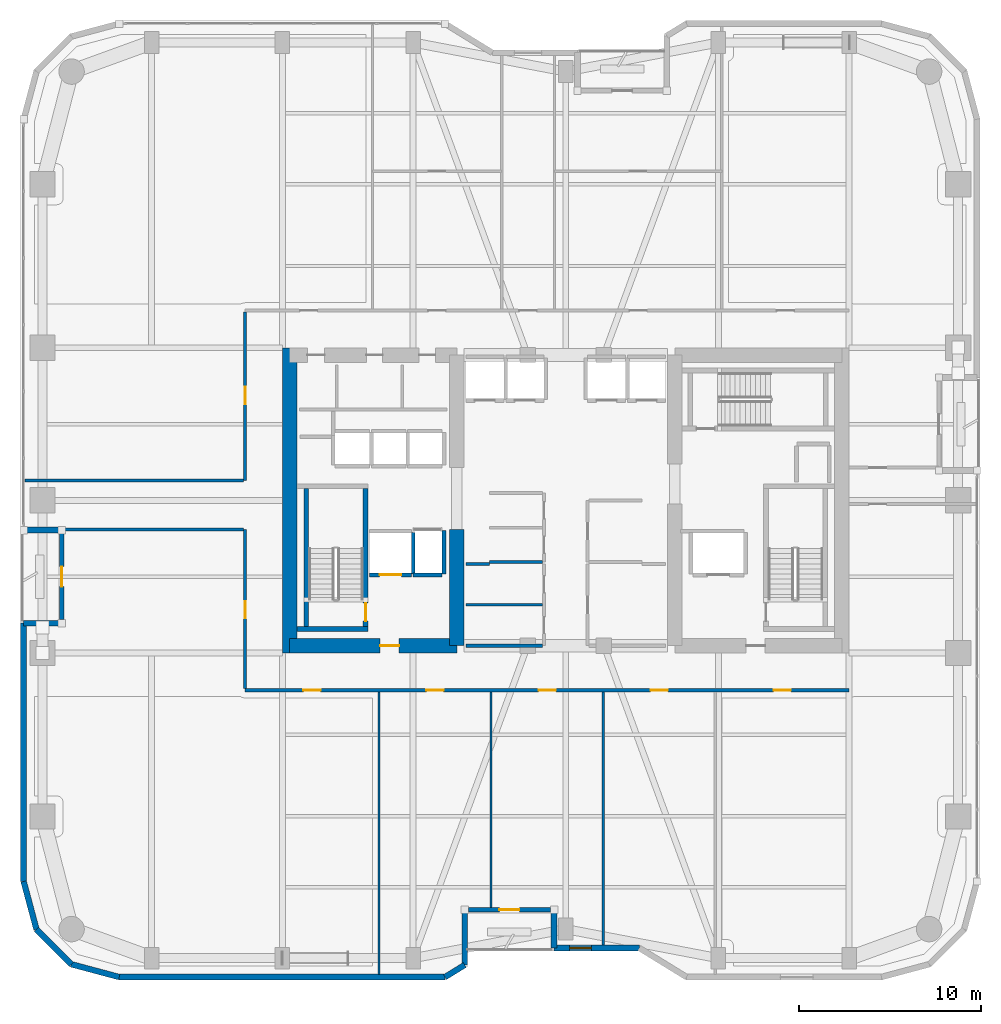
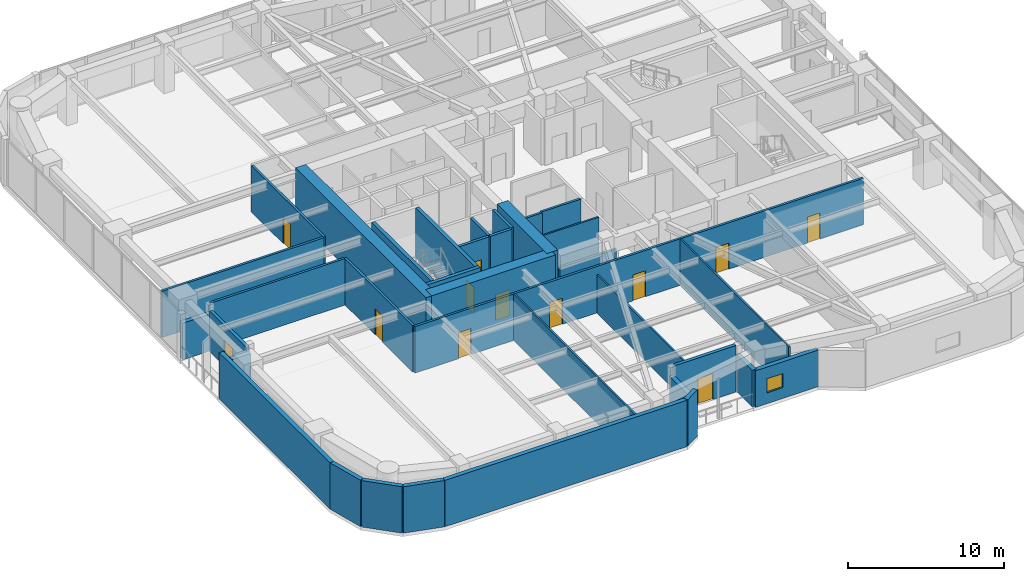
# One storey, part 18 of 24: 35 walls, 12 doors, 1 window, 13 openings.
"""IFC4 building model written with IfcOpenShell, lengths in metres."""

from ifc_helpers import new_model, si_unit, direction, frame, frame_2d, origin, place, context, subcontext, project, spatial, rectangle, extrude, material, layer, layer_set, type_object, element, fill, save


model = new_model("IFC4")

# Units and contexts
model_context = context("Model", 3, precision=1e-05, world=origin(), true_north=direction((0.0, 1.0)))
body_context = subcontext(model_context, "Body", "Model", "MODEL_VIEW")
ifc_project = project(units=[si_unit("LENGTHUNIT", "METRE"), si_unit("AREAUNIT", "SQUARE_METRE"), si_unit("VOLUMEUNIT", "CUBIC_METRE"), si_unit("PLANEANGLEUNIT", "RADIAN"), si_unit("MASSUNIT", "GRAM", prefix="KILO")], contexts=[model_context])

# Site, building, storey
site_placement = place(None, origin())
site = spatial("IfcSite", under=ifc_project, at=site_placement, CompositionType="ELEMENT")
building_placement = place(site_placement, origin())
building = spatial("IfcBuilding", under=site, at=building_placement, Name="Kiyonajd Concourse Tower", CompositionType="ELEMENT")
storey_placement = place(building_placement, frame((0.0, 0.0, 133.800048828125)))
storey = spatial("IfcBuildingStorey", under=building, at=storey_placement, Name="L34", CompositionType="ELEMENT", Elevation=133.800048828125)

# Walls
ifc_material_1 = material(Name="Concrete C70/85", Category="concrete")
ifc_layer_1 = layer(ifc_material_1, 0.800048828125)
ifc_layer_set_1 = layer_set([ifc_layer_1], Name="Concrete C70/85")
wall_type_1 = type_object("IfcWallType", Name="WL-CORE-800", PredefinedType="SHEAR", material=ifc_layer_set_1)
wall_1_placement = place(storey_placement, frame((32.800048828125, 27.60009765625, 0.0), z_axis=(0.0, 0.0, 1.0), x_axis=(0.0, 1.0, 0.0)))
element("IfcWall", 1, at=wall_1_placement, inside=storey, type_object=wall_type_1, Name="L34 West Core Outer Shear Wall", PredefinedType="SHEAR", context=body_context, shape_type="SweptSolid", body=[
    extrude(rectangle(XDim=16.7998046875, YDim=0.800048828125, at=frame_2d((8.39990234375, 0.0))), origin(), (0.0, 0.0, 1.0), 3.89990234375),
])
wall_2_placement = place(storey_placement, frame((42.0, 28.0, 0.0), z_axis=(0.0, 0.0, 1.0), x_axis=(0.0, 1.0, 0.0)))
element("IfcWall", 2, at=wall_2_placement, inside=storey, type_object=wall_type_1, Name="L34 West Core Inner South Shear Wall", PredefinedType="SHEAR", context=body_context, shape_type="SweptSolid", body=[
    extrude(rectangle(XDim=6.39990234375, YDim=0.800048828125, at=frame_2d((3.199951171875, 0.0))), origin(), (0.0, 0.0, 1.0), 3.89990234375),
])

# Wall, opening, door
wall_3_placement = place(storey_placement, frame((32.800048828125, 28.0, 0.0), z_axis=(0.0, 0.0, 1.0), x_axis=(1.0, 0.0, 0.0)))
wall_3 = element("IfcWall", 3, at=wall_3_placement, inside=storey, type_object=wall_type_1, Name="L34 West Core South Shear Wall", PredefinedType="SHEAR", context=body_context, shape_type="SweptSolid", body=[
    extrude(rectangle(XDim=9.199951171875, YDim=0.800048828125, at=frame_2d((4.60009765625, 0.0))), origin(), (0.0, 0.0, 1.0), 3.89990234375),
])
opening_1_placement = place(wall_3_placement, frame((4.97509765625, 0.0, 0.0)))
opening_1 = element("IfcOpeningElement", 4, at=opening_1_placement, cuts=wall_3, Name="Opening DF5", PredefinedType="OPENING", context=body_context, shape_type="SweptSolid", body=[
    extrude(rectangle(XDim=1.050048828125, YDim=2.0400390625, at=frame_2d((0.52490234375, 1.02001953125))), frame((0.0, 0.409912109375, 0.0), z_axis=(0.0, -1.0, 0.0), x_axis=(1.0, 0.0, 0.0)), (0.0, 0.0, 1.0), 0.820068359375),
])
ifc_material_2 = material(Name="Brushed Stainless Steel Cab Assembly", Category="steel")
door_type_1 = type_object("IfcDoorType", Name="DR-FD45-1050", OperationType="NOTDEFINED", PredefinedType="DOOR", material=ifc_material_2)
door_1_placement = place(opening_1_placement, origin())
door_1 = element("IfcDoor", 5, at=door_1_placement, inside=storey, type_object=door_type_1, Name="L34 Firefighting Lift Lobby W Smoke Door", OperationType="SINGLE_SWING_LEFT", OverallHeight=2.0400390625, OverallWidth=1.050048828125, PredefinedType="DOOR", context=body_context, shape_type="SweptSolid", body=[
    extrude(rectangle(XDim=1.050048828125, YDim=2.0400390625, at=frame_2d((0.52490234375, 1.02001953125))), frame((0.0, 0.02490234375, 0.0), z_axis=(0.0, -1.0, 0.0), x_axis=(1.0, 0.0, 0.0)), (0.0, 0.0, 1.0), 0.050048828125),
])
fill(opening_1, door_1)

# Walls
ifc_material_3 = material(Name="Precast concrete C50/60", Category="concrete")
ifc_layer_2 = layer(ifc_material_3, 0.320068359375)
ifc_layer_set_2 = layer_set([ifc_layer_2], Name="Precast concrete C50/60")
wall_type_2 = type_object("IfcWallType", Name="WL-EXT-320", PredefinedType="SOLIDWALL", material=ifc_layer_set_2)
wall_4_placement = place(storey_placement, frame((18.866455078125, 12.3828125, 0.0), z_axis=(0.0, 0.0, 1.0), x_axis=(-0.25869736047, 0.965958423373, 0.0)))
element("IfcWall", 6, at=wall_4_placement, inside=storey, type_object=wall_type_2, Name="L34 Exterior Concrete Frame Wall 00", PredefinedType="SOLIDWALL", context=body_context, shape_type="SweptSolid", body=[
    extrude(rectangle(XDim=2.731201171875, YDim=0.320068359375, at=frame_2d((1.36572265625, 0.0))), origin(), (0.0, 0.0, 1.0), 3.639892578125),
])
wall_5_placement = place(storey_placement, frame((18.159912109375, 15.02099609375, 0.0), z_axis=(0.0, 0.0, 1.0), x_axis=(0.0, 1.0, 0.0)))
element("IfcWall", 7, at=wall_5_placement, inside=storey, type_object=wall_type_2, Name="L34 Exterior Concrete Frame Wall 01", PredefinedType="SOLIDWALL", context=body_context, shape_type="SweptSolid", body=[
    extrude(rectangle(XDim=14.218994140625, YDim=0.320068359375, at=frame_2d((7.109375, 0.0))), origin(), (0.0, 0.0, 1.0), 3.639892578125),
])
for number, where, z_axis, x_axis, name in (
    (8, (18.159912109375, 29.239990234375, 0.0), (0.0, 0.0, 1.0), (1.0, 0.0, 0.0), "L34 Exterior Concrete Frame Wall 02"),
    (9, (20.260009765625, 34.360107421875, 0.0), (0.0, 0.0, 1.0), (-1.0, 0.0, 0.0), "L34 Exterior Concrete Frame Wall 04"),
):
    element("IfcWall", number, at=place(storey_placement, frame(where, z_axis=z_axis, x_axis=x_axis)), inside=storey, type_object=wall_type_2, Name=name, PredefinedType="SOLIDWALL", context=body_context, shape_type="SweptSolid", body=[
        extrude(rectangle(XDim=2.10009765625, YDim=0.320068359375, at=frame_2d((1.050048828125, 0.0))), origin(), (0.0, 0.0, 1.0), 2.875),
    ])

# Wall, opening, window
wall_6_placement = place(storey_placement, frame((52.04541015625, 11.360107421875, 0.0), z_axis=(0.0, 0.0, 1.0), x_axis=(-1.0, 0.0, 0.0)))
wall_6 = element("IfcWall", 10, at=wall_6_placement, inside=storey, type_object=wall_type_2, Name="L34 Exterior Concrete Frame Wall 30", PredefinedType="SOLIDWALL", context=body_context, shape_type="SweptSolid", body=[
    extrude(rectangle(XDim=4.685302734375, YDim=0.320068359375, at=frame_2d((2.3427734375, 0.0))), origin(), (0.0, 0.0, 1.0), 2.875),
])
opening_2_placement = place(wall_6_placement, frame((2.639892578125, 0.0, 0.85009765625)))
opening_2 = element("IfcOpeningElement", 11, at=opening_2_placement, cuts=wall_6, Name="Opening WN3", PredefinedType="OPENING", context=body_context, shape_type="SweptSolid", body=[
    extrude(rectangle(XDim=1.199951171875, YDim=1.10009765625, at=frame_2d((0.60009765625, 0.550048828125))), frame((0.0, 0.169921875, 0.0), z_axis=(0.0, -1.0, 0.0), x_axis=(1.0, 0.0, 0.0)), (0.0, 0.0, 1.0), 0.340087890625),
])
ifc_material_4 = material(Name="Double Low-E Insulated Glass", Category="glass")
window_type = type_object("IfcWindowType", Name="WN-VIS-1200x1100", PartitioningType="SINGLE_PANEL", PredefinedType="WINDOW", material=ifc_material_4)
window_placement = place(opening_2_placement, origin())
window = element("IfcWindow", 12, at=window_placement, inside=storey, type_object=window_type, Name="L34 Modular Facade Vision Window 30", OverallHeight=1.10009765625, OverallWidth=1.199951171875, PartitioningType="SINGLE_PANEL", PredefinedType="WINDOW", context=body_context, shape_type="SweptSolid", body=[
    extrude(rectangle(XDim=1.199951171875, YDim=1.10009765625, at=frame_2d((0.60009765625, 0.550048828125))), frame((0.0, 0.030029296875, 0.0), z_axis=(0.0, -1.0, 0.0), x_axis=(1.0, 0.0, 0.0)), (0.0, 0.0, 1.0), 0.06005859375),
])
fill(opening_2, window)

# Walls
wall_7_placement = place(storey_placement, frame((47.360107421875, 11.360107421875, 0.0), z_axis=(0.0, 0.0, 1.0), x_axis=(0.0, 1.0, 0.0)))
element("IfcWall", 13, at=wall_7_placement, inside=storey, type_object=wall_type_2, Name="L34 Exterior Concrete Frame Wall 31", PredefinedType="SOLIDWALL", context=body_context, shape_type="SweptSolid", body=[
    extrude(rectangle(XDim=2.099853515625, YDim=0.320068359375, at=frame_2d((1.0498046875, 0.0))), origin(), (0.0, 0.0, 1.0), 2.875),
])
wall_8_placement = place(storey_placement, frame((42.43994140625, 13.4599609375, 0.0), z_axis=(0.0, 0.0, 1.0), x_axis=(0.0, -1.0, 0.0)))
element("IfcWall", 14, at=wall_8_placement, inside=storey, type_object=wall_type_2, Name="L34 Exterior Concrete Frame Wall 33", PredefinedType="SOLIDWALL", context=body_context, shape_type="SweptSolid", body=[
    extrude(rectangle(XDim=3.032470703125, YDim=0.320068359375, at=frame_2d((1.51611328125, 0.0))), origin(), (0.0, 0.0, 1.0), 2.875),
])
wall_9_placement = place(storey_placement, frame((42.43994140625, 10.427490234375, 0.0), z_axis=(0.0, 0.0, 1.0), x_axis=(-0.851776724646, -0.523904964045, 0.0)))
element("IfcWall", 15, at=wall_9_placement, inside=storey, type_object=wall_type_2, Name="L34 Exterior Concrete Frame Wall 34", PredefinedType="SOLIDWALL", context=body_context, shape_type="SweptSolid", body=[
    extrude(rectangle(XDim=1.274169921875, YDim=0.320068359375, at=frame_2d((0.63720703125, 0.0))), origin(), (0.0, 0.0, 1.0), 3.639892578125),
])
wall_10_placement = place(storey_placement, frame((41.354736328125, 9.760009765625, 0.0), z_axis=(0.0, 0.0, 1.0), x_axis=(-1.0, 0.0, 0.0)))
element("IfcWall", 16, at=wall_10_placement, inside=storey, type_object=wall_type_2, Name="L34 Exterior Concrete Frame Wall 35", PredefinedType="SOLIDWALL", context=body_context, shape_type="SweptSolid", body=[
    extrude(rectangle(XDim=17.93359375, YDim=0.320068359375, at=frame_2d((8.966796875, 0.0))), origin(), (0.0, 0.0, 1.0), 3.639892578125),
])
wall_11_placement = place(storey_placement, frame((23.421142578125, 9.760009765625, 0.0), z_axis=(0.0, 0.0, 1.0), x_axis=(-0.965964405026, 0.25867502435, 0.0)))
element("IfcWall", 17, at=wall_11_placement, inside=storey, type_object=wall_type_2, Name="L34 Exterior Concrete Frame Wall 36", PredefinedType="SOLIDWALL", context=body_context, shape_type="SweptSolid", body=[
    extrude(rectangle(XDim=2.7314453125, YDim=0.320068359375, at=frame_2d((1.36572265625, 0.0))), origin(), (0.0, 0.0, 1.0), 3.639892578125),
])
wall_12_placement = place(storey_placement, frame((20.78271484375, 10.466552734375, 0.0), z_axis=(0.0, 0.0, 1.0), x_axis=(-0.707106781187, 0.707106781187, 0.0)))
element("IfcWall", 18, at=wall_12_placement, inside=storey, type_object=wall_type_2, Name="L34 Exterior Concrete Frame Wall 37", PredefinedType="SOLIDWALL", context=body_context, shape_type="SweptSolid", body=[
    extrude(rectangle(XDim=2.7099609375, YDim=0.320068359375, at=frame_2d((1.35498046875, 0.0))), origin(), (0.0, 0.0, 1.0), 3.639892578125),
])

# Wall, opening, door
ifc_layer_3 = layer(ifc_material_3, 0.239990234375)
ifc_layer_set_3 = layer_set([ifc_layer_3], Name="Precast concrete C50/60")
wall_type_3 = type_object("IfcWallType", Name="WL-LOG-240", PredefinedType="SOLIDWALL", material=ifc_layer_set_3)
wall_13_placement = place(storey_placement, frame((20.260009765625, 29.43505859375, 0.0), z_axis=(0.0, 0.0, 1.0), x_axis=(0.0, 1.0, 0.0)))
wall_13 = element("IfcWall", 19, at=wall_13_placement, inside=storey, type_object=wall_type_3, Name="L34 Recessed Loggia Thermal Wall LOG-W", PredefinedType="SOLIDWALL", context=body_context, shape_type="SweptSolid", body=[
    extrude(rectangle(XDim=4.72998046875, YDim=0.239990234375, at=frame_2d((2.364990234375, 0.0))), origin(), (0.0, 0.0, 1.0), 3.161865234375),
])
opening_3_placement = place(wall_13_placement, frame((1.81494140625, 0.0, 0.0)))
opening_3 = element("IfcOpeningElement", 20, at=opening_3_placement, cuts=wall_13, Name="Opening DL2", PredefinedType="OPENING", context=body_context, shape_type="SweptSolid", body=[
    extrude(rectangle(XDim=1.10009765625, YDim=2.0400390625, at=frame_2d((0.550048828125, 1.02001953125))), frame((0.0, 0.1298828125, 0.0), z_axis=(0.0, -1.0, 0.0), x_axis=(1.0, 0.0, 0.0)), (0.0, 0.0, 1.0), 0.260009765625),
])
ifc_material_5 = material(Name="Thermally Broken Anodised Aluminium", Category="aluminium")
door_type_2 = type_object("IfcDoorType", Name="DR-LOG-1100", OperationType="NOTDEFINED", PredefinedType="DOOR", material=ifc_material_5)
door_2_placement = place(opening_3_placement, origin())
door_2 = element("IfcDoor", 21, at=door_2_placement, inside=storey, type_object=door_type_2, Name="L34 Engawa Loggia Access Door LOG-W", OperationType="SINGLE_SWING_LEFT", OverallHeight=2.0400390625, OverallWidth=1.10009765625, PredefinedType="DOOR", context=body_context, shape_type="SweptSolid", body=[
    extrude(rectangle(XDim=1.10009765625, YDim=2.0400390625, at=frame_2d((0.550048828125, 1.02001953125))), frame((0.0, 0.02490234375, 0.0), z_axis=(0.0, -1.0, 0.0), x_axis=(1.0, 0.0, 0.0)), (0.0, 0.0, 1.0), 0.050048828125),
])
fill(opening_3, door_2)

wall_14_placement = place(storey_placement, frame((47.1650390625, 13.4599609375, 0.0), z_axis=(0.0, 0.0, 1.0), x_axis=(-1.0, 0.0, 0.0)))
wall_14 = element("IfcWall", 22, at=wall_14_placement, inside=storey, type_object=wall_type_3, Name="L34 Recessed Loggia Thermal Wall LOG-S", PredefinedType="SOLIDWALL", context=body_context, shape_type="SweptSolid", body=[
    extrude(rectangle(XDim=4.530029296875, YDim=0.239990234375, at=frame_2d((2.26513671875, 0.0))), origin(), (0.0, 0.0, 1.0), 3.639892578125),
])
opening_4_placement = place(wall_14_placement, frame((1.715087890625, 0.0, 0.0)))
opening_4 = element("IfcOpeningElement", 23, at=opening_4_placement, cuts=wall_14, Name="Opening DL2", PredefinedType="OPENING", context=body_context, shape_type="SweptSolid", body=[
    extrude(rectangle(XDim=1.10009765625, YDim=2.0400390625, at=frame_2d((0.550048828125, 1.02001953125))), frame((0.0, 0.1298828125, 0.0), z_axis=(0.0, -1.0, 0.0), x_axis=(1.0, 0.0, 0.0)), (0.0, 0.0, 1.0), 0.260009765625),
])
door_3_placement = place(opening_4_placement, origin())
door_3 = element("IfcDoor", 24, at=door_3_placement, inside=storey, type_object=door_type_2, Name="L34 Engawa Loggia Access Door LOG-S", OperationType="SINGLE_SWING_RIGHT", OverallHeight=2.0400390625, OverallWidth=1.10009765625, PredefinedType="DOOR", context=body_context, shape_type="SweptSolid", body=[
    extrude(rectangle(XDim=1.10009765625, YDim=2.0400390625, at=frame_2d((0.550048828125, 1.02001953125))), frame((0.0, 0.02490234375, 0.0), z_axis=(0.0, -1.0, 0.0), x_axis=(1.0, 0.0, 0.0)), (0.0, 0.0, 1.0), 0.050048828125),
])
fill(opening_4, door_3)

# Walls
ifc_material_6 = material(Name="Gypsum Board on Cold-Formed Steel Stud", Category="steel")
ifc_layer_4 = layer(ifc_material_6, 0.125)
ifc_layer_set_4 = layer_set([ifc_layer_4], Name="Gypsum Board on Cold-Formed Steel Stud")
wall_type_4 = type_object("IfcWallType", Name="WL-PART-125", PredefinedType="PARTITIONING", material=ifc_layer_set_4)
wall_15_placement = place(storey_placement, frame((42.5, 30.25, 0.0), z_axis=(0.0, 0.0, 1.0), x_axis=(1.0, 0.0, 0.0)))
element("IfcWall", 25, at=wall_15_placement, inside=storey, type_object=wall_type_4, Name="L34 Interior Partition Wall", PredefinedType="PARTITIONING", context=body_context, shape_type="SweptSolid", body=[
    extrude(rectangle(XDim=4.212890625, YDim=0.125, at=frame_2d((2.1064453125, 0.0))), origin(), (0.0, 0.0, 1.0), 3.639892578125),
])
wall_16_placement = place(storey_placement, frame((37.719970703125, 9.9150390625, 0.0), z_axis=(0.0, 0.0, 1.0), x_axis=(0.0, 1.0, 0.0)))
element("IfcWall", 26, at=wall_16_placement, inside=storey, type_object=wall_type_4, Name="L34 Interior Partition Wall", PredefinedType="PARTITIONING", context=body_context, shape_type="SweptSolid", body=[
    extrude(rectangle(XDim=15.5478515625, YDim=0.125, at=frame_2d((7.77392578125, 0.0))), origin(), (0.0, 0.0, 1.0), 3.639892578125),
])
wall_17_placement = place(storey_placement, frame((43.889892578125, 13.574951171875, 0.0), z_axis=(0.0, 0.0, 1.0), x_axis=(0.0, 1.0, 0.0)))
element("IfcWall", 27, at=wall_17_placement, inside=storey, type_object=wall_type_4, Name="L34 Interior Partition Wall", PredefinedType="PARTITIONING", context=body_context, shape_type="SweptSolid", body=[
    extrude(rectangle(XDim=11.887939453125, YDim=0.125, at=frame_2d((5.94384765625, 0.0))), origin(), (0.0, 0.0, 1.0), 3.0029296875),
])
wall_18_placement = place(storey_placement, frame((50.06005859375, 11.514892578125, 0.0), z_axis=(0.0, 0.0, 1.0), x_axis=(0.0, 1.0, 0.0)))
element("IfcWall", 28, at=wall_18_placement, inside=storey, type_object=wall_type_4, Name="L34 Interior Partition Wall", PredefinedType="PARTITIONING", context=body_context, shape_type="SweptSolid", body=[
    extrude(rectangle(XDim=13.947998046875, YDim=0.125, at=frame_2d((6.97412109375, 0.0))), origin(), (0.0, 0.0, 1.0), 3.639892578125),
])

# Wall, opening, door
ifc_layer_5 = layer(ifc_material_6, 0.2099609375)
ifc_layer_set_5 = layer_set([ifc_layer_5], Name="Gypsum Board on Cold-Formed Steel Stud")
wall_type_5 = type_object("IfcWallType", Name="WL-SHAFT-210", PredefinedType="PARTITIONING", material=ifc_layer_set_5)
wall_19_placement = place(storey_placement, frame((37.199951171875, 31.89990234375, 0.0), z_axis=(0.0, 0.0, 1.0), x_axis=(1.0, 0.0, 0.0)))
wall_19 = element("IfcWall", 29, at=wall_19_placement, inside=storey, type_object=wall_type_5, Name="L34 Shaft Enclosure Wall", PredefinedType="PARTITIONING", context=body_context, shape_type="SweptSolid", body=[
    extrude(rectangle(XDim=2.300048828125, YDim=0.2099609375, at=frame_2d((1.14990234375, 0.0))), origin(), (0.0, 0.0, 1.0), 3.639892578125),
])
opening_5_placement = place(wall_19_placement, frame((0.550048828125, 0.0, 0.0)))
opening_5 = element("IfcOpeningElement", 30, at=opening_5_placement, cuts=wall_19, Name="Opening LD2", PredefinedType="OPENING", context=body_context, shape_type="SweptSolid", body=[
    extrude(rectangle(XDim=1.199951171875, YDim=2.0400390625, at=frame_2d((0.60009765625, 1.02001953125))), frame((0.0, 0.114990234375, 0.0), z_axis=(0.0, -1.0, 0.0), x_axis=(1.0, 0.0, 0.0)), (0.0, 0.0, 1.0), 0.22998046875),
])
door_type_3 = type_object("IfcDoorType", Name="DR-LD-1200", OperationType="DOUBLE_DOOR_SLIDING", PredefinedType="DOOR", material=ifc_material_2)
door_4_placement = place(opening_5_placement, origin())
door_4 = element("IfcDoor", 31, at=door_4_placement, inside=storey, type_object=door_type_3, Name="L34 Lift FFL1 Sliding Landing Door", OperationType="DOUBLE_DOOR_SLIDING", OverallHeight=2.0400390625, OverallWidth=1.199951171875, PredefinedType="DOOR", context=body_context, shape_type="SweptSolid", body=[
    extrude(rectangle(XDim=1.199951171875, YDim=2.0400390625, at=frame_2d((0.60009765625, 1.02001953125))), frame((0.0, 0.02490234375, 0.0), z_axis=(0.0, -1.0, 0.0), x_axis=(1.0, 0.0, 0.0)), (0.0, 0.0, 1.0), 0.050048828125),
])
fill(opening_5, door_4)

# Walls
wall_20_placement = place(storey_placement, frame((39.60009765625, 31.9599609375, 0.0), z_axis=(0.0, 0.0, 1.0), x_axis=(0.0, 1.0, 0.0)))
element("IfcWall", 32, at=wall_20_placement, inside=storey, type_object=wall_type_5, Name="L34 Shaft Enclosure Wall", PredefinedType="PARTITIONING", context=body_context, shape_type="SweptSolid", body=[
    extrude(rectangle(XDim=2.280029296875, YDim=0.2099609375, at=frame_2d((1.14013671875, 0.0))), origin(), (0.0, 0.0, 1.0), 3.639892578125),
])
wall_21_placement = place(storey_placement, frame((39.60009765625, 31.89990234375, 0.0), z_axis=(0.0, 0.0, 1.0), x_axis=(1.0, 0.0, 0.0)))
element("IfcWall", 33, at=wall_21_placement, inside=storey, type_object=wall_type_5, Name="L34 Shaft Enclosure Wall", PredefinedType="PARTITIONING", context=body_context, shape_type="SweptSolid", body=[
    extrude(rectangle(XDim=1.599853515625, YDim=0.2099609375, at=frame_2d((0.7998046875, 0.0))), origin(), (0.0, 0.0, 1.0), 3.639892578125),
])
wall_22_placement = place(storey_placement, frame((41.300048828125, 31.9599609375, 0.0), z_axis=(0.0, 0.0, 1.0), x_axis=(0.0, 1.0, 0.0)))
element("IfcWall", 34, at=wall_22_placement, inside=storey, type_object=wall_type_5, Name="L34 Shaft Enclosure Wall", PredefinedType="PARTITIONING", context=body_context, shape_type="SweptSolid", body=[
    extrude(rectangle(XDim=2.380126953125, YDim=0.2099609375, at=frame_2d((1.18994140625, 0.0))), origin(), (0.0, 0.0, 1.0), 3.639892578125),
])
ifc_layer_6 = layer(ifc_material_6, 0.169921875)
ifc_layer_set_6 = layer_set([ifc_layer_6], Name="Gypsum Board on Cold-Formed Steel Stud")
wall_type_6 = type_object("IfcWallType", Name="WL-SMK-170", PredefinedType="PARTITIONING", material=ifc_layer_set_6)
wall_23_placement = place(storey_placement, frame((43.800048828125, 32.60009765625, 0.0), z_axis=(0.0, 0.0, 1.0), x_axis=(1.0, 0.0, 0.0)))
element("IfcWall", 35, at=wall_23_placement, inside=storey, type_object=wall_type_6, Name="L34 Interior Partition Wall", PredefinedType="PARTITIONING", context=body_context, shape_type="SweptSolid", body=[
    extrude(rectangle(XDim=2.912841796875, YDim=0.169921875, at=frame_2d((1.45654296875, 0.0))), origin(), (0.0, 0.0, 1.0), 3.639892578125),
])
wall_24_placement = place(storey_placement, frame((42.5, 28.0, 0.0), z_axis=(0.0, 0.0, 1.0), x_axis=(1.0, 0.0, 0.0)))
element("IfcWall", 36, at=wall_24_placement, inside=storey, type_object=wall_type_6, Name="L34 Interior Partition Wall", PredefinedType="PARTITIONING", context=body_context, shape_type="SweptSolid", body=[
    extrude(rectangle(XDim=4.212890625, YDim=0.169921875, at=frame_2d((2.1064453125, 0.0))), origin(), (0.0, 0.0, 1.0), 2.52490234375),
])
wall_25_placement = place(storey_placement, frame((42.5, 32.5, 0.0), z_axis=(0.0, 0.0, 1.0), x_axis=(1.0, 0.0, 0.0)))
element("IfcWall", 37, at=wall_25_placement, inside=storey, type_object=wall_type_6, Name="L34 Interior Partition Wall", PredefinedType="PARTITIONING", context=body_context, shape_type="SweptSolid", body=[
    extrude(rectangle(XDim=1.300048828125, YDim=0.169921875, at=frame_2d((0.64990234375, 0.0))), origin(), (0.0, 0.0, 1.0), 3.639892578125),
])

# Wall, openings, doors
wall_26_placement = place(storey_placement, frame((30.35009765625, 25.550048828125, 0.0), z_axis=(0.0, 0.0, 1.0), x_axis=(1.0, 0.0, 0.0)))
wall_26 = element("IfcWall", 38, at=wall_26_placement, inside=storey, type_object=wall_type_6, Name="L34 Interior Partition Wall", PredefinedType="PARTITIONING", context=body_context, shape_type="SweptSolid", body=[
    extrude(rectangle(XDim=33.25, YDim=0.169921875, at=frame_2d((16.625, 0.0))), origin(), (0.0, 0.0, 1.0), 3.639892578125),
])
opening_6_placement = place(wall_26_placement, frame((3.2099609375, 0.0, 0.0)))
opening_6 = element("IfcOpeningElement", 39, at=opening_6_placement, cuts=wall_26, Name="Opening DI1", PredefinedType="OPENING", context=body_context, shape_type="SweptSolid", body=[
    extrude(rectangle(XDim=0.949951171875, YDim=2.0400390625, at=frame_2d((0.47509765625, 1.02001953125))), frame((0.0, 0.094970703125, 0.0), z_axis=(0.0, -1.0, 0.0), x_axis=(1.0, 0.0, 0.0)), (0.0, 0.0, 1.0), 0.18994140625),
])
opening_7_placement = place(wall_26_placement, frame((9.97998046875, 0.0, 0.0)))
opening_7 = element("IfcOpeningElement", 40, at=opening_7_placement, cuts=wall_26, Name="Opening DI1", PredefinedType="OPENING", context=body_context, shape_type="SweptSolid", body=[
    extrude(rectangle(XDim=0.949951171875, YDim=2.0400390625, at=frame_2d((0.47509765625, 1.02001953125))), frame((0.0, 0.094970703125, 0.0), z_axis=(0.0, -1.0, 0.0), x_axis=(1.0, 0.0, 0.0)), (0.0, 0.0, 1.0), 0.18994140625),
])
opening_8_placement = place(wall_26_placement, frame((16.14990234375, 0.0, 0.0)))
opening_8 = element("IfcOpeningElement", 41, at=opening_8_placement, cuts=wall_26, Name="Opening DI1", PredefinedType="OPENING", context=body_context, shape_type="SweptSolid", body=[
    extrude(rectangle(XDim=0.949951171875, YDim=2.0400390625, at=frame_2d((0.47509765625, 1.02001953125))), frame((0.0, 0.094970703125, 0.0), z_axis=(0.0, -1.0, 0.0), x_axis=(1.0, 0.0, 0.0)), (0.0, 0.0, 1.0), 0.18994140625),
])
opening_9_placement = place(wall_26_placement, frame((22.320068359375, 0.0, 0.0)))
opening_9 = element("IfcOpeningElement", 42, at=opening_9_placement, cuts=wall_26, Name="Opening DI1", PredefinedType="OPENING", context=body_context, shape_type="SweptSolid", body=[
    extrude(rectangle(XDim=0.949951171875, YDim=2.0400390625, at=frame_2d((0.47509765625, 1.02001953125))), frame((0.0, 0.094970703125, 0.0), z_axis=(0.0, -1.0, 0.0), x_axis=(1.0, 0.0, 0.0)), (0.0, 0.0, 1.0), 0.18994140625),
])
opening_10_placement = place(wall_26_placement, frame((29.090087890625, 0.0, 0.0)))
opening_10 = element("IfcOpeningElement", 43, at=opening_10_placement, cuts=wall_26, Name="Opening DI1", PredefinedType="OPENING", context=body_context, shape_type="SweptSolid", body=[
    extrude(rectangle(XDim=0.949951171875, YDim=2.0400390625, at=frame_2d((0.47509765625, 1.02001953125))), frame((0.0, 0.094970703125, 0.0), z_axis=(0.0, -1.0, 0.0), x_axis=(1.0, 0.0, 0.0)), (0.0, 0.0, 1.0), 0.18994140625),
])
ifc_material_7 = material(Name="Natural Oak Acoustic Timber Veneer", Category="wood")
door_type_4 = type_object("IfcDoorType", Name="DR-INT-950", OperationType="NOTDEFINED", PredefinedType="DOOR", material=ifc_material_7)
door_5_placement = place(opening_6_placement, origin())
door_5 = element("IfcDoor", 44, at=door_5_placement, inside=storey, type_object=door_type_4, Name="L34 Interior Door", OperationType="SINGLE_SWING_RIGHT", OverallHeight=2.0400390625, OverallWidth=0.949951171875, PredefinedType="DOOR", context=body_context, shape_type="SweptSolid", body=[
    extrude(rectangle(XDim=0.949951171875, YDim=2.0400390625, at=frame_2d((0.47509765625, 1.02001953125))), frame((0.0, 0.02490234375, 0.0), z_axis=(0.0, -1.0, 0.0), x_axis=(1.0, 0.0, 0.0)), (0.0, 0.0, 1.0), 0.050048828125),
])
fill(opening_6, door_5)
door_6_placement = place(opening_7_placement, origin())
door_6 = element("IfcDoor", 45, at=door_6_placement, inside=storey, type_object=door_type_4, Name="L34 Interior Door", OperationType="SINGLE_SWING_LEFT", OverallHeight=2.0400390625, OverallWidth=0.949951171875, PredefinedType="DOOR", context=body_context, shape_type="SweptSolid", body=[
    extrude(rectangle(XDim=0.949951171875, YDim=2.0400390625, at=frame_2d((0.47509765625, 1.02001953125))), frame((0.0, 0.02490234375, 0.0), z_axis=(0.0, -1.0, 0.0), x_axis=(1.0, 0.0, 0.0)), (0.0, 0.0, 1.0), 0.050048828125),
])
fill(opening_7, door_6)
door_7_placement = place(opening_8_placement, origin())
door_7 = element("IfcDoor", 46, at=door_7_placement, inside=storey, type_object=door_type_4, Name="L34 Interior Door", OperationType="SINGLE_SWING_RIGHT", OverallHeight=2.0400390625, OverallWidth=0.949951171875, PredefinedType="DOOR", context=body_context, shape_type="SweptSolid", body=[
    extrude(rectangle(XDim=0.949951171875, YDim=2.0400390625, at=frame_2d((0.47509765625, 1.02001953125))), frame((0.0, 0.02490234375, 0.0), z_axis=(0.0, -1.0, 0.0), x_axis=(1.0, 0.0, 0.0)), (0.0, 0.0, 1.0), 0.050048828125),
])
fill(opening_8, door_7)
door_8_placement = place(opening_9_placement, origin())
door_8 = element("IfcDoor", 47, at=door_8_placement, inside=storey, type_object=door_type_4, Name="L34 Interior Door", OperationType="SINGLE_SWING_LEFT", OverallHeight=2.0400390625, OverallWidth=0.949951171875, PredefinedType="DOOR", context=body_context, shape_type="SweptSolid", body=[
    extrude(rectangle(XDim=0.949951171875, YDim=2.0400390625, at=frame_2d((0.47509765625, 1.02001953125))), frame((0.0, 0.02490234375, 0.0), z_axis=(0.0, -1.0, 0.0), x_axis=(1.0, 0.0, 0.0)), (0.0, 0.0, 1.0), 0.050048828125),
])
fill(opening_9, door_8)
door_9_placement = place(opening_10_placement, origin())
door_9 = element("IfcDoor", 48, at=door_9_placement, inside=storey, type_object=door_type_4, Name="L34 Interior Door", OperationType="SINGLE_SWING_RIGHT", OverallHeight=2.0400390625, OverallWidth=0.949951171875, PredefinedType="DOOR", context=body_context, shape_type="SweptSolid", body=[
    extrude(rectangle(XDim=0.949951171875, YDim=2.0400390625, at=frame_2d((0.47509765625, 1.02001953125))), frame((0.0, 0.02490234375, 0.0), z_axis=(0.0, -1.0, 0.0), x_axis=(1.0, 0.0, 0.0)), (0.0, 0.0, 1.0), 0.050048828125),
])
fill(opening_10, door_9)

# Wall, opening, door
wall_27_placement = place(storey_placement, frame((30.35009765625, 25.636962890625, 0.0), z_axis=(0.0, 0.0, 1.0), x_axis=(0.0, 1.0, 0.0)))
wall_27 = element("IfcWall", 49, at=wall_27_placement, inside=storey, type_object=wall_type_6, Name="L34 Interior Partition Wall", PredefinedType="PARTITIONING", context=body_context, shape_type="SweptSolid", body=[
    extrude(rectangle(XDim=8.762939453125, YDim=0.169921875, at=frame_2d((4.38134765625, 0.0))), origin(), (0.0, 0.0, 1.0), 3.639892578125),
])
opening_11_placement = place(wall_27_placement, frame((3.863037109375, 0.0, 0.0)))
opening_11 = element("IfcOpeningElement", 50, at=opening_11_placement, cuts=wall_27, Name="Opening DI1", PredefinedType="OPENING", context=body_context, shape_type="SweptSolid", body=[
    extrude(rectangle(XDim=0.949951171875, YDim=2.0400390625, at=frame_2d((0.47509765625, 1.02001953125))), frame((0.0, 0.094970703125, 0.0), z_axis=(0.0, -1.0, 0.0), x_axis=(1.0, 0.0, 0.0)), (0.0, 0.0, 1.0), 0.18994140625),
])
door_10_placement = place(opening_11_placement, origin())
door_10 = element("IfcDoor", 51, at=door_10_placement, inside=storey, type_object=door_type_4, Name="L34 Interior Door", OperationType="SINGLE_SWING_RIGHT", OverallHeight=2.0400390625, OverallWidth=0.949951171875, PredefinedType="DOOR", context=body_context, shape_type="SweptSolid", body=[
    extrude(rectangle(XDim=0.949951171875, YDim=2.0400390625, at=frame_2d((0.47509765625, 1.02001953125))), frame((0.0, 0.02490234375, 0.0), z_axis=(0.0, -1.0, 0.0), x_axis=(1.0, 0.0, 0.0)), (0.0, 0.0, 1.0), 0.050048828125),
])
fill(opening_11, door_10)

wall_28_placement = place(storey_placement, frame((30.35009765625, 37.10009765625, 0.0), z_axis=(0.0, 0.0, 1.0), x_axis=(0.0, 1.0, 0.0)))
wall_28 = element("IfcWall", 52, at=wall_28_placement, inside=storey, type_object=wall_type_6, Name="L34 Interior Partition Wall", PredefinedType="PARTITIONING", context=body_context, shape_type="SweptSolid", body=[
    extrude(rectangle(XDim=9.262939453125, YDim=0.169921875, at=frame_2d((4.63134765625, 0.0))), origin(), (0.0, 0.0, 1.0), 3.639892578125),
])
opening_12_placement = place(wall_28_placement, frame((4.199951171875, 0.0, 0.0)))
opening_12 = element("IfcOpeningElement", 53, at=opening_12_placement, cuts=wall_28, Name="Opening DI1", PredefinedType="OPENING", context=body_context, shape_type="SweptSolid", body=[
    extrude(rectangle(XDim=0.949951171875, YDim=2.0400390625, at=frame_2d((0.47509765625, 1.02001953125))), frame((0.0, 0.094970703125, 0.0), z_axis=(0.0, -1.0, 0.0), x_axis=(1.0, 0.0, 0.0)), (0.0, 0.0, 1.0), 0.18994140625),
])
door_11_placement = place(opening_12_placement, origin())
door_11 = element("IfcDoor", 54, at=door_11_placement, inside=storey, type_object=door_type_4, Name="L34 Interior Door", OperationType="SINGLE_SWING_LEFT", OverallHeight=2.0400390625, OverallWidth=0.949951171875, PredefinedType="DOOR", context=body_context, shape_type="SweptSolid", body=[
    extrude(rectangle(XDim=0.949951171875, YDim=2.0400390625, at=frame_2d((0.47509765625, 1.02001953125))), frame((0.0, 0.02490234375, 0.0), z_axis=(0.0, -1.0, 0.0), x_axis=(1.0, 0.0, 0.0)), (0.0, 0.0, 1.0), 0.050048828125),
])
fill(opening_12, door_11)

# Walls
wall_29_placement = place(storey_placement, frame((20.260009765625, 34.39990234375, 0.0), z_axis=(0.0, 0.0, 1.0), x_axis=(1.0, 0.0, 0.0)))
element("IfcWall", 55, at=wall_29_placement, inside=storey, type_object=wall_type_6, Name="L34 Interior Partition Wall", PredefinedType="PARTITIONING", context=body_context, shape_type="SweptSolid", body=[
    extrude(rectangle(XDim=10.0029296875, YDim=0.169921875, at=frame_2d((5.00146484375, 0.0))), origin(), (0.0, 0.0, 1.0), 3.639892578125),
])
wall_30_placement = place(storey_placement, frame((18.2451171875, 37.10009765625, 0.0), z_axis=(0.0, 0.0, 1.0), x_axis=(1.0, 0.0, 0.0)))
element("IfcWall", 56, at=wall_30_placement, inside=storey, type_object=wall_type_6, Name="L34 Interior Partition Wall", PredefinedType="PARTITIONING", context=body_context, shape_type="SweptSolid", body=[
    extrude(rectangle(XDim=12.017822265625, YDim=0.169921875, at=frame_2d((6.0087890625, 0.0))), origin(), (0.0, 0.0, 1.0), 3.639892578125),
])
ifc_material_8 = material(Name="Concrete C50/60", Category="concrete")
ifc_layer_7 = layer(ifc_material_8, 0.260009765625)
ifc_layer_set_7 = layer_set([ifc_layer_7], Name="Concrete C50/60")
wall_type_7 = type_object("IfcWallType", Name="WL-STAIR-260", PredefinedType="SHEAR", material=ifc_layer_set_7)
wall_31_placement = place(storey_placement, frame((33.199951171875, 28.919921875, 0.0), z_axis=(0.0, 0.0, 1.0), x_axis=(1.0, 0.0, 0.0)))
element("IfcWall", 57, at=wall_31_placement, inside=storey, type_object=wall_type_7, Name="L34 Stair ST1 Structural South Wall", PredefinedType="SHEAR", context=body_context, shape_type="SweptSolid", body=[
    extrude(rectangle(XDim=3.91015625, YDim=0.260009765625, at=frame_2d((1.955078125, 0.0))), origin(), (0.0, 0.0, 1.0), 3.89990234375),
])
wall_32_placement = place(storey_placement, frame((33.719970703125, 29.050048828125, 0.0), z_axis=(0.0, 0.0, 1.0), x_axis=(0.0, 1.0, 0.0)))
element("IfcWall", 58, at=wall_32_placement, inside=storey, type_object=wall_type_7, Name="L34 Stair ST1 Structural West Wall", PredefinedType="SHEAR", context=body_context, shape_type="SweptSolid", body=[
    extrude(rectangle(XDim=7.599853515625, YDim=0.260009765625, at=frame_2d((3.7998046875, 0.0))), origin(), (0.0, 0.0, 1.0), 3.89990234375),
])

# Wall, opening, door
wall_33_placement = place(storey_placement, frame((36.97998046875, 29.050048828125, 0.0), z_axis=(0.0, 0.0, 1.0), x_axis=(0.0, 1.0, 0.0)))
wall_33 = element("IfcWall", 59, at=wall_33_placement, inside=storey, type_object=wall_type_7, Name="L34 Stair ST1 Structural East Wall", PredefinedType="SHEAR", context=body_context, shape_type="SweptSolid", body=[
    extrude(rectangle(XDim=7.599853515625, YDim=0.260009765625, at=frame_2d((3.7998046875, 0.0))), origin(), (0.0, 0.0, 1.0), 3.89990234375),
])
opening_13_placement = place(wall_33_placement, frame((0.300048828125, 0.0, 0.0)))
opening_13 = element("IfcOpeningElement", 60, at=opening_13_placement, cuts=wall_33, Name="Opening DF1", PredefinedType="OPENING", context=body_context, shape_type="SweptSolid", body=[
    extrude(rectangle(XDim=1.0, YDim=2.0400390625, at=frame_2d((0.5, 1.02001953125))), frame((0.0, 0.139892578125, 0.0), z_axis=(0.0, -1.0, 0.0), x_axis=(1.0, 0.0, 0.0)), (0.0, 0.0, 1.0), 0.280029296875),
])
door_type_5 = type_object("IfcDoorType", Name="DR-FD90-1000", OperationType="NOTDEFINED", PredefinedType="DOOR", material=ifc_material_2)
door_12_placement = place(opening_13_placement, origin())
door_12 = element("IfcDoor", 61, at=door_12_placement, inside=storey, type_object=door_type_5, Name="L34 Stair ST1 FSAE Door", OperationType="SINGLE_SWING_LEFT", OverallHeight=2.0400390625, OverallWidth=1.0, PredefinedType="DOOR", context=body_context, shape_type="SweptSolid", body=[
    extrude(rectangle(XDim=1.0, YDim=2.0400390625, at=frame_2d((0.5, 1.02001953125))), frame((0.0, 0.02490234375, 0.0), z_axis=(0.0, -1.0, 0.0), x_axis=(1.0, 0.0, 0.0)), (0.0, 0.0, 1.0), 0.050048828125),
])
fill(opening_13, door_12)

save(model, "model.ifc")
